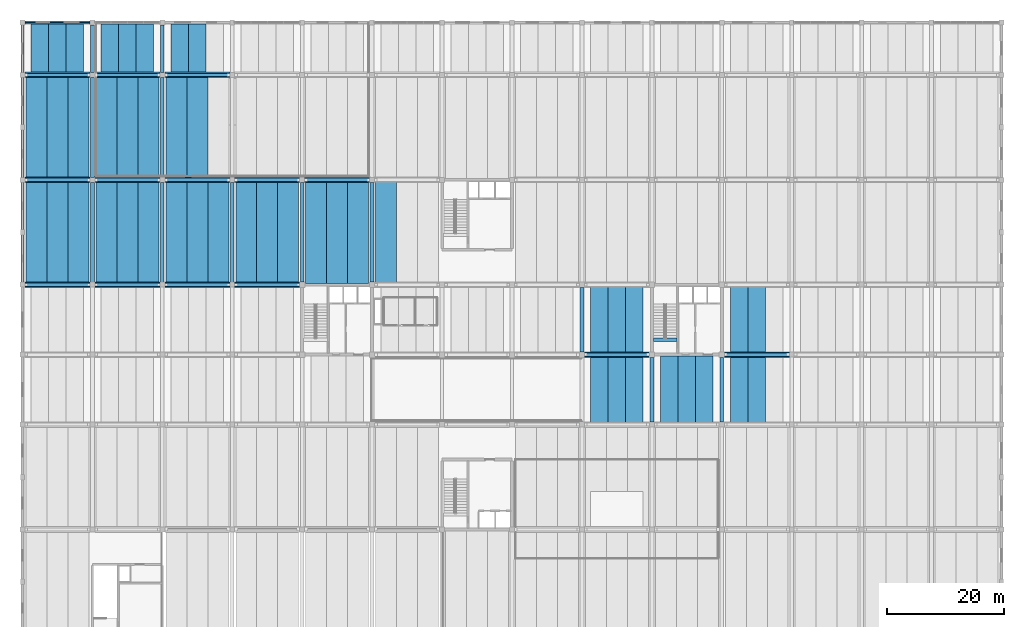
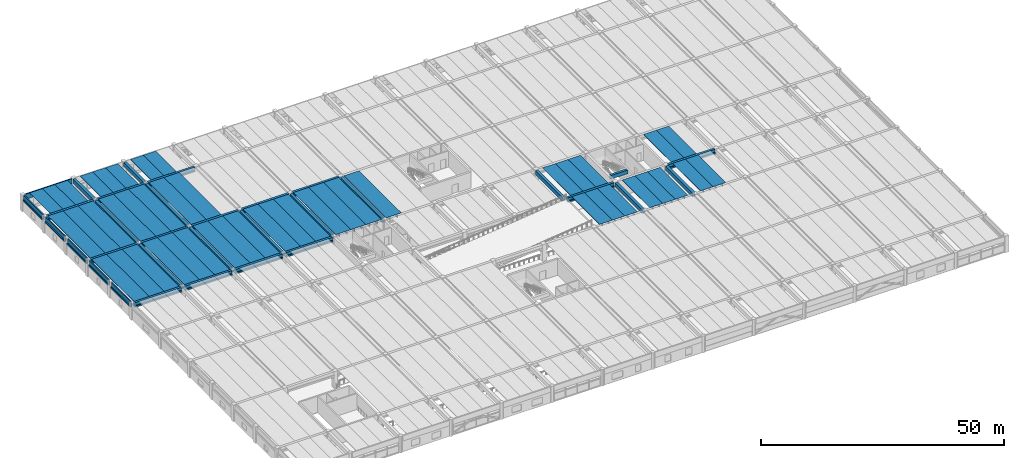
# One storey, part 13 of 50: 78 beams.
"""IFC4 building model written with IfcOpenShell, lengths in metres."""

from ifc_helpers import new_model, si_unit, direction, frame, origin, origin_2d, place, context, subcontext, project, spatial, polyline, rectangle, outline, extrude, material, material_profile, profile_set, type_object, element, save


model = new_model("IFC4")

# Units and contexts
model_context = context("Model", 3, precision=1e-05, world=origin(), true_north=direction((0.0, 1.0)))
body_context = subcontext(model_context, "Body", "Model", "MODEL_VIEW")
ifc_project = project(units=[si_unit("LENGTHUNIT", "METRE"), si_unit("AREAUNIT", "SQUARE_METRE"), si_unit("VOLUMEUNIT", "CUBIC_METRE"), si_unit("PLANEANGLEUNIT", "RADIAN"), si_unit("MASSUNIT", "GRAM", prefix="KILO")], contexts=[model_context])

# Site, building, storey
site_placement = place(None, origin())
site = spatial("IfcSite", under=ifc_project, at=site_placement, CompositionType="ELEMENT")
building_placement = place(site_placement, origin())
building = spatial("IfcBuilding", under=site, at=building_placement, Name="Girod Span Mobility Hub", CompositionType="ELEMENT")
storey_placement = place(building_placement, frame((0.0, 0.0, 5.39990234375)))
storey = spatial("IfcBuildingStorey", under=building, at=storey_placement, Name="L01", CompositionType="ELEMENT", Elevation=5.39990234375)

# Beams
ifc_material_1 = material(Name="Concrete C50/60", Category="concrete")
ifc_material_profile_1 = material_profile(ifc_material_1, outline(polyline([(-1.5, 0.35009765625), (-1.5, 0.2548828125), (-0.840087890625, 0.2548828125), (-0.81494140625, -0.35009765625), (-0.68505859375, -0.35009765625), (-0.659912109375, 0.2548828125), (0.659912109375, 0.2548828125), (0.68505859375, -0.35009765625), (0.81494140625, -0.35009765625), (0.840087890625, 0.2548828125), (1.5, 0.2548828125), (1.5, 0.35009765625), (-1.5, 0.35009765625)])), Name="DT-3000X700")
ifc_profile_set_1 = profile_set([ifc_material_profile_1], Name="Concrete C50/60")
beam_type_1 = type_object("IfcBeamType", Name="BM-DT-3000X700", PredefinedType="JOIST", material=ifc_profile_set_1)
for number, where, z_axis, x_axis, name in (
    (1, (3.0, 105.27197265625, 3.690185546875), (0.0, 1.0, 0.0), (-1.0, 0.0, 0.0), "Double-Tee Deck 1/H-1 L01"),
    (2, (6.0, 105.27197265625, 3.690185546875), (0.0, 1.0, 0.0), (-1.0, 0.0, 0.0), "Double-Tee Deck 1/H-2 L01"),
    (3, (9.0, 105.27197265625, 3.690185546875), (0.0, 1.0, 0.0), (-1.0, 0.0, 0.0), "Double-Tee Deck 1/H-3 L01"),
    (4, (15.0, 105.27197265625, 3.690185546875), (0.0, 1.0, 0.0), (-1.0, 0.0, 0.0), "Double-Tee Deck 2/H-1 L01"),
    (5, (18.0, 105.27197265625, 3.690185546875), (0.0, 1.0, 0.0), (-1.0, 0.0, 0.0), "Double-Tee Deck 2/H-2 L01"),
    (6, (21.0, 105.27197265625, 3.690185546875), (0.0, 1.0, 0.0), (-1.0, 0.0, 0.0), "Double-Tee Deck 2/H-3 L01"),
    (7, (27.0, 105.27197265625, 3.690185546875), (0.0, 1.0, 0.0), (-1.0, 0.0, 0.0), "Double-Tee Deck 3/H-1 L01"),
    (8, (30.0, 105.27197265625, 3.690185546875), (0.0, 1.0, 0.0), (-1.0, 0.0, 0.0), "Double-Tee Deck 3/H-2 L01"),
):
    element("IfcBeam", number, at=place(storey_placement, frame(where, z_axis=z_axis, x_axis=x_axis)), inside=storey, type_object=beam_type_1, Name=name, PredefinedType="JOIST", context=body_context, shape_type="SweptSolid", body=[
        extrude(outline(polyline([(-1.5, 0.35009765625), (-1.5, 0.2548828125), (-0.840087890625, 0.2548828125), (-0.81494140625, -0.35009765625), (-0.68505859375, -0.35009765625), (-0.659912109375, 0.2548828125), (0.659912109375, 0.2548828125), (0.68505859375, -0.35009765625), (0.81494140625, -0.35009765625), (0.840087890625, 0.2548828125), (1.5, 0.2548828125), (1.5, 0.35009765625), (-1.5, 0.35009765625)])), origin(), (0.0, 0.0, 1.0), 8.506103515625),
    ])
for number, where, z_axis, x_axis, name in (
    (9, (99.0, 45.27197265625, 3.690185546875), (0.0, 1.0, 0.0), (-1.0, 0.0, 0.0), "Double-Tee Deck 9/D-1 L01"),
    (10, (102.0, 45.27197265625, 3.690185546875), (0.0, 1.0, 0.0), (-1.0, 0.0, 0.0), "Double-Tee Deck 9/D-2 L01"),
    (11, (105.0, 45.27197265625, 3.690185546875), (0.0, 1.0, 0.0), (-1.0, 0.0, 0.0), "Double-Tee Deck 9/D-3 L01"),
    (12, (99.0, 57.27197265625, 3.690185546875), (0.0, 1.0, 0.0), (-1.0, 0.0, 0.0), "Double-Tee Deck 9/E-1 L01"),
    (13, (102.0, 57.27197265625, 3.690185546875), (0.0, 1.0, 0.0), (-1.0, 0.0, 0.0), "Double-Tee Deck 9/E-2 L01"),
    (14, (105.0, 57.27197265625, 3.690185546875), (0.0, 1.0, 0.0), (-1.0, 0.0, 0.0), "Double-Tee Deck 9/E-3 L01"),
):
    element("IfcBeam", number, at=place(storey_placement, frame(where, z_axis=z_axis, x_axis=x_axis)), inside=storey, type_object=beam_type_1, Name=name, PredefinedType="JOIST", context=body_context, shape_type="SweptSolid", body=[
        extrude(outline(polyline([(-1.5, 0.35009765625), (-1.5, 0.2548828125), (-0.840087890625, 0.2548828125), (-0.81494140625, -0.35009765625), (-0.68505859375, -0.35009765625), (-0.659912109375, 0.2548828125), (0.659912109375, 0.2548828125), (0.68505859375, -0.35009765625), (0.81494140625, -0.35009765625), (0.840087890625, 0.2548828125), (1.5, 0.2548828125), (1.5, 0.35009765625), (-1.5, 0.35009765625)])), origin(), (0.0, 0.0, 1.0), 11.4560546875),
    ])
for number, where, z_axis, x_axis, name in (
    (15, (111.0, 45.27197265625, 3.690185546875), (0.0, 1.0, 0.0), (-1.0, 0.0, 0.0), "Double-Tee Deck 10/D-1 L01"),
    (16, (114.0, 45.27197265625, 3.690185546875), (0.0, 1.0, 0.0), (-1.0, 0.0, 0.0), "Double-Tee Deck 10/D-2 L01"),
    (17, (117.0, 45.27197265625, 3.690185546875), (0.0, 1.0, 0.0), (-1.0, 0.0, 0.0), "Double-Tee Deck 10/D-3 L01"),
):
    element("IfcBeam", number, at=place(storey_placement, frame(where, z_axis=z_axis, x_axis=x_axis)), inside=storey, type_object=beam_type_1, Name=name, PredefinedType="JOIST", context=body_context, shape_type="SweptSolid", body=[
        extrude(outline(polyline([(-1.5, 0.35009765625), (-1.5, 0.2548828125), (-0.840087890625, 0.2548828125), (-0.81494140625, -0.35009765625), (-0.68505859375, -0.35009765625), (-0.659912109375, 0.2548828125), (0.659912109375, 0.2548828125), (0.68505859375, -0.35009765625), (0.81494140625, -0.35009765625), (0.840087890625, 0.2548828125), (1.5, 0.2548828125), (1.5, 0.35009765625), (-1.5, 0.35009765625)])), origin(), (0.0, 0.0, 1.0), 11.48095703125),
    ])
for number, where, z_axis, x_axis, name in (
    (18, (123.0, 45.27197265625, 3.690185546875), (0.0, 1.0, 0.0), (-1.0, 0.0, 0.0), "Double-Tee Deck 11/D-1 L01"),
    (19, (126.0, 45.27197265625, 3.690185546875), (0.0, 1.0, 0.0), (-1.0, 0.0, 0.0), "Double-Tee Deck 11/D-2 L01"),
    (20, (123.0, 57.27197265625, 3.690185546875), (0.0, 1.0, 0.0), (-1.0, 0.0, 0.0), "Double-Tee Deck 11/E-1 L01"),
    (21, (126.0, 57.27197265625, 3.690185546875), (0.0, 1.0, 0.0), (-1.0, 0.0, 0.0), "Double-Tee Deck 11/E-2 L01"),
):
    element("IfcBeam", number, at=place(storey_placement, frame(where, z_axis=z_axis, x_axis=x_axis)), inside=storey, type_object=beam_type_1, Name=name, PredefinedType="JOIST", context=body_context, shape_type="SweptSolid", body=[
        extrude(outline(polyline([(-1.5, 0.35009765625), (-1.5, 0.2548828125), (-0.840087890625, 0.2548828125), (-0.81494140625, -0.35009765625), (-0.68505859375, -0.35009765625), (-0.659912109375, 0.2548828125), (0.659912109375, 0.2548828125), (0.68505859375, -0.35009765625), (0.81494140625, -0.35009765625), (0.840087890625, 0.2548828125), (1.5, 0.2548828125), (1.5, 0.35009765625), (-1.5, 0.35009765625)])), origin(), (0.0, 0.0, 1.0), 11.4560546875),
    ])
ifc_material_2 = material(Name="Concrete C50/60", Category="concrete")
ifc_material_profile_2 = material_profile(ifc_material_2, outline(polyline([(-1.800048828125, 0.47509765625), (-1.800048828125, 0.364990234375), (-1.010009765625, 0.364990234375), (-0.97509765625, -0.47509765625), (-0.824951171875, -0.47509765625), (-0.7900390625, 0.364990234375), (0.7900390625, 0.364990234375), (0.824951171875, -0.47509765625), (0.97509765625, -0.47509765625), (1.010009765625, 0.364990234375), (1.800048828125, 0.364990234375), (1.800048828125, 0.47509765625), (-1.800048828125, 0.47509765625)])), Name="DT-3600X950")
ifc_profile_set_2 = profile_set([ifc_material_profile_2], Name="Concrete C50/60")
beam_type_2 = type_object("IfcBeamType", Name="BM-DT-3600X950", PredefinedType="JOIST", material=ifc_profile_set_2)
for number, where, z_axis, x_axis, name in (
    (22, (2.39990234375, 69.27197265625, 3.565185546875), (0.0, 1.0, 0.0), (-1.0, 0.0, 0.0), "Double-Tee Deck 1/F-1 L01"),
    (23, (6.0, 69.27197265625, 3.565185546875), (0.0, 1.0, 0.0), (-1.0, 0.0, 0.0), "Double-Tee Deck 1/F-2 L01"),
    (24, (9.60009765625, 69.27197265625, 3.565185546875), (0.0, 1.0, 0.0), (-1.0, 0.0, 0.0), "Double-Tee Deck 1/F-3 L01"),
    (25, (2.39990234375, 87.27197265625, 3.565185546875), (0.0, 1.0, 0.0), (-1.0, 0.0, 0.0), "Double-Tee Deck 1/G-1 L01"),
    (26, (6.0, 87.27197265625, 3.565185546875), (0.0, 1.0, 0.0), (-1.0, 0.0, 0.0), "Double-Tee Deck 1/G-2 L01"),
    (27, (9.60009765625, 87.27197265625, 3.565185546875), (0.0, 1.0, 0.0), (-1.0, 0.0, 0.0), "Double-Tee Deck 1/G-3 L01"),
    (28, (14.39990234375, 69.27197265625, 3.565185546875), (0.0, 1.0, 0.0), (-1.0, 0.0, 0.0), "Double-Tee Deck 2/F-1 L01"),
    (29, (18.0, 69.27197265625, 3.565185546875), (0.0, 1.0, 0.0), (-1.0, 0.0, 0.0), "Double-Tee Deck 2/F-2 L01"),
    (30, (21.60009765625, 69.27197265625, 3.565185546875), (0.0, 1.0, 0.0), (-1.0, 0.0, 0.0), "Double-Tee Deck 2/F-3 L01"),
    (31, (14.39990234375, 87.27197265625, 3.565185546875), (0.0, 1.0, 0.0), (-1.0, 0.0, 0.0), "Double-Tee Deck 2/G-1 L01"),
    (32, (18.0, 87.27197265625, 3.565185546875), (0.0, 1.0, 0.0), (-1.0, 0.0, 0.0), "Double-Tee Deck 2/G-2 L01"),
    (33, (21.60009765625, 87.27197265625, 3.565185546875), (0.0, 1.0, 0.0), (-1.0, 0.0, 0.0), "Double-Tee Deck 2/G-3 L01"),
    (34, (26.39990234375, 69.27197265625, 3.565185546875), (0.0, 1.0, 0.0), (-1.0, 0.0, 0.0), "Double-Tee Deck 3/F-1 L01"),
    (35, (30.0, 69.27197265625, 3.565185546875), (0.0, 1.0, 0.0), (-1.0, 0.0, 0.0), "Double-Tee Deck 3/F-2 L01"),
    (36, (33.60009765625, 69.27197265625, 3.565185546875), (0.0, 1.0, 0.0), (-1.0, 0.0, 0.0), "Double-Tee Deck 3/F-3 L01"),
    (37, (26.39990234375, 87.27197265625, 3.565185546875), (0.0, 1.0, 0.0), (-1.0, 0.0, 0.0), "Double-Tee Deck 3/G-1 L01"),
    (38, (30.0, 87.27197265625, 3.565185546875), (0.0, 1.0, 0.0), (-1.0, 0.0, 0.0), "Double-Tee Deck 3/G-2 L01"),
    (39, (38.39990234375, 69.27197265625, 3.565185546875), (0.0, 1.0, 0.0), (-1.0, 0.0, 0.0), "Double-Tee Deck 4/F-1 L01"),
    (40, (42.0, 69.27197265625, 3.565185546875), (0.0, 1.0, 0.0), (-1.0, 0.0, 0.0), "Double-Tee Deck 4/F-2 L01"),
    (41, (45.60009765625, 69.27197265625, 3.565185546875), (0.0, 1.0, 0.0), (-1.0, 0.0, 0.0), "Double-Tee Deck 4/F-3 L01"),
):
    element("IfcBeam", number, at=place(storey_placement, frame(where, z_axis=z_axis, x_axis=x_axis)), inside=storey, type_object=beam_type_2, Name=name, PredefinedType="JOIST", context=body_context, shape_type="SweptSolid", body=[
        extrude(outline(polyline([(-1.800048828125, 0.47509765625), (-1.800048828125, 0.364990234375), (-1.010009765625, 0.364990234375), (-0.97509765625, -0.47509765625), (-0.824951171875, -0.47509765625), (-0.7900390625, 0.364990234375), (0.7900390625, 0.364990234375), (0.824951171875, -0.47509765625), (0.97509765625, -0.47509765625), (1.010009765625, 0.364990234375), (1.800048828125, 0.364990234375), (1.800048828125, 0.47509765625), (-1.800048828125, 0.47509765625)])), origin(), (0.0, 0.0, 1.0), 17.4560546875),
    ])
for number, where, z_axis, x_axis, name in (
    (42, (50.39990234375, 69.2470703125, 3.565185546875), (0.0, 1.0, 0.0), (-1.0, 0.0, 0.0), "Double-Tee Deck 5/F-1 L01"),
    (43, (54.0, 69.2470703125, 3.565185546875), (0.0, 1.0, 0.0), (-1.0, 0.0, 0.0), "Double-Tee Deck 5/F-2 L01"),
    (44, (57.60009765625, 69.2470703125, 3.565185546875), (0.0, 1.0, 0.0), (-1.0, 0.0, 0.0), "Double-Tee Deck 5/F-3 L01"),
):
    element("IfcBeam", number, at=place(storey_placement, frame(where, z_axis=z_axis, x_axis=x_axis)), inside=storey, type_object=beam_type_2, Name=name, PredefinedType="JOIST", context=body_context, shape_type="SweptSolid", body=[
        extrude(outline(polyline([(-1.800048828125, 0.47509765625), (-1.800048828125, 0.364990234375), (-1.010009765625, 0.364990234375), (-0.97509765625, -0.47509765625), (-0.824951171875, -0.47509765625), (-0.7900390625, 0.364990234375), (0.7900390625, 0.364990234375), (0.824951171875, -0.47509765625), (0.97509765625, -0.47509765625), (1.010009765625, 0.364990234375), (1.800048828125, 0.364990234375), (1.800048828125, 0.47509765625), (-1.800048828125, 0.47509765625)])), origin(), (0.0, 0.0, 1.0), 17.48095703125),
    ])
beam_1_placement = place(storey_placement, frame((62.39990234375, 69.27197265625, 3.565185546875), z_axis=(0.0, 1.0, 0.0), x_axis=(-1.0, 0.0, 0.0)))
element("IfcBeam", 45, at=beam_1_placement, inside=storey, type_object=beam_type_2, Name="Double-Tee Deck 6/F-1 L01", PredefinedType="JOIST", context=body_context, shape_type="SweptSolid", body=[
    extrude(outline(polyline([(-1.800048828125, 0.47509765625), (-1.800048828125, 0.364990234375), (-1.010009765625, 0.364990234375), (-0.97509765625, -0.47509765625), (-0.824951171875, -0.47509765625), (-0.7900390625, 0.364990234375), (0.7900390625, 0.364990234375), (0.824951171875, -0.47509765625), (0.97509765625, -0.47509765625), (1.010009765625, 0.364990234375), (1.800048828125, 0.364990234375), (1.800048828125, 0.47509765625), (-1.800048828125, 0.47509765625)])), origin(), (0.0, 0.0, 1.0), 17.4560546875),
])
ifc_material_3 = material(Name="Concrete C50/60", Category="concrete")
ifc_material_profile_3 = material_profile(ifc_material_3, outline(polyline([(-0.47509765625, -0.52490234375), (0.47509765625, -0.52490234375), (0.47509765625, -0.175048828125), (0.27490234375, -0.175048828125), (0.27490234375, 0.52490234375), (-0.27490234375, 0.52490234375), (-0.27490234375, -0.175048828125), (-0.47509765625, -0.175048828125), (-0.47509765625, -0.52490234375)])), Name="IT-950X1050")
ifc_profile_set_3 = profile_set([ifc_material_profile_3], Name="Concrete C50/60")
beam_type_3 = type_object("IfcBeamType", Name="BM-IT-950X1050", PredefinedType="T_BEAM", material=ifc_profile_set_3)
beam_2_placement = place(storey_placement, frame((96.447021484375, 57.0, 3.51513671875), z_axis=(1.0, 0.0, 0.0), x_axis=(0.0, 1.0, 0.0)))
element("IfcBeam", 46, at=beam_2_placement, inside=storey, type_object=beam_type_3, Name="Girder 9-10/E L01", PredefinedType="T_BEAM", context=body_context, shape_type="SweptSolid", body=[
    extrude(outline(polyline([(-0.47509765625, -0.52490234375), (0.47509765625, -0.52490234375), (0.47509765625, -0.175048828125), (0.27490234375, -0.175048828125), (0.27490234375, 0.52490234375), (-0.27490234375, 0.52490234375), (-0.27490234375, -0.175048828125), (-0.47509765625, -0.175048828125), (-0.47509765625, -0.52490234375)])), origin(), (0.0, 0.0, 1.0), 11.10595703125),
])
beam_3_placement = place(storey_placement, frame((120.447021484375, 57.0, 3.51513671875), z_axis=(1.0, 0.0, 0.0), x_axis=(0.0, 1.0, 0.0)))
element("IfcBeam", 47, at=beam_3_placement, inside=storey, type_object=beam_type_3, Name="Girder 11-12/E L01", PredefinedType="T_BEAM", context=body_context, shape_type="SweptSolid", body=[
    extrude(outline(polyline([(-0.47509765625, -0.52490234375), (0.47509765625, -0.52490234375), (0.47509765625, -0.175048828125), (0.27490234375, -0.175048828125), (0.27490234375, 0.52490234375), (-0.27490234375, 0.52490234375), (-0.27490234375, -0.175048828125), (-0.47509765625, -0.175048828125), (-0.47509765625, -0.52490234375)])), origin(), (0.0, 0.0, 1.0), 11.130859375),
])
for number, where, z_axis, x_axis, name in (
    (48, (0.422119140625, 69.0, 3.51513671875), (1.0, 0.0, 0.0), (0.0, 1.0, 0.0), "Girder 1-2/F L01"),
    (49, (12.422119140625, 69.0, 3.51513671875), (1.0, 0.0, 0.0), (0.0, 1.0, 0.0), "Girder 2-3/F L01"),
    (50, (24.422119140625, 69.0, 3.51513671875), (1.0, 0.0, 0.0), (0.0, 1.0, 0.0), "Girder 3-4/F L01"),
):
    element("IfcBeam", number, at=place(storey_placement, frame(where, z_axis=z_axis, x_axis=x_axis)), inside=storey, type_object=beam_type_3, Name=name, PredefinedType="T_BEAM", context=body_context, shape_type="SweptSolid", body=[
        extrude(outline(polyline([(-0.47509765625, -0.52490234375), (0.47509765625, -0.52490234375), (0.47509765625, -0.175048828125), (0.27490234375, -0.175048828125), (0.27490234375, 0.52490234375), (-0.27490234375, 0.52490234375), (-0.27490234375, -0.175048828125), (-0.47509765625, -0.175048828125), (-0.47509765625, -0.52490234375)])), origin(), (0.0, 0.0, 1.0), 11.15576171875),
    ])
beam_4_placement = place(storey_placement, frame((36.422119140625, 69.0, 3.51513671875), z_axis=(1.0, 0.0, 0.0), x_axis=(0.0, 1.0, 0.0)))
element("IfcBeam", 51, at=beam_4_placement, inside=storey, type_object=beam_type_3, Name="Girder 4-5/F L01", PredefinedType="T_BEAM", context=body_context, shape_type="SweptSolid", body=[
    extrude(outline(polyline([(-0.47509765625, -0.52490234375), (0.47509765625, -0.52490234375), (0.47509765625, -0.175048828125), (0.27490234375, -0.175048828125), (0.27490234375, 0.52490234375), (-0.27490234375, 0.52490234375), (-0.27490234375, -0.175048828125), (-0.47509765625, -0.175048828125), (-0.47509765625, -0.52490234375)])), origin(), (0.0, 0.0, 1.0), 11.130859375),
])
for number, where, z_axis, x_axis, name in (
    (52, (0.422119140625, 87.0, 3.51513671875), (1.0, 0.0, 0.0), (0.0, 1.0, 0.0), "Girder 1-2/G L01"),
    (53, (12.422119140625, 87.0, 3.51513671875), (1.0, 0.0, 0.0), (0.0, 1.0, 0.0), "Girder 2-3/G L01"),
    (54, (24.422119140625, 87.0, 3.51513671875), (1.0, 0.0, 0.0), (0.0, 1.0, 0.0), "Girder 3-4/G L01"),
    (55, (36.422119140625, 87.0, 3.51513671875), (1.0, 0.0, 0.0), (0.0, 1.0, 0.0), "Girder 4-5/G L01"),
    (56, (48.422119140625, 87.0, 3.51513671875), (1.0, 0.0, 0.0), (0.0, 1.0, 0.0), "Girder 5-6/G L01"),
    (57, (0.422119140625, 105.0, 3.51513671875), (1.0, 0.0, 0.0), (0.0, 1.0, 0.0), "Girder 1-2/H L01"),
    (58, (12.422119140625, 105.0, 3.51513671875), (1.0, 0.0, 0.0), (0.0, 1.0, 0.0), "Girder 2-3/H L01"),
    (59, (24.422119140625, 105.0, 3.51513671875), (1.0, 0.0, 0.0), (0.0, 1.0, 0.0), "Girder 3-4/H L01"),
):
    element("IfcBeam", number, at=place(storey_placement, frame(where, z_axis=z_axis, x_axis=x_axis)), inside=storey, type_object=beam_type_3, Name=name, PredefinedType="T_BEAM", context=body_context, shape_type="SweptSolid", body=[
        extrude(outline(polyline([(-0.47509765625, -0.52490234375), (0.47509765625, -0.52490234375), (0.47509765625, -0.175048828125), (0.27490234375, -0.175048828125), (0.27490234375, 0.52490234375), (-0.27490234375, 0.52490234375), (-0.27490234375, -0.175048828125), (-0.47509765625, -0.175048828125), (-0.47509765625, -0.52490234375)])), origin(), (0.0, 0.0, 1.0), 11.15576171875),
    ])
ifc_material_4 = material(Name="Concrete C40/50", Category="concrete")
ifc_material_profile_4 = material_profile(ifc_material_4, rectangle(XDim=0.550048828125, YDim=0.949951171875, at=origin_2d()), Name="RK-550X950")
ifc_profile_set_4 = profile_set([ifc_material_profile_4], Name="Concrete C40/50")
beam_type_4 = type_object("IfcBeamType", Name="BM-RK-550X950", PredefinedType="BEAM", material=ifc_profile_set_4)
beam_5_placement = place(storey_placement, frame((108.2470703125, 59.550048828125, 3.565185546875), z_axis=(1.0, 0.0, 0.0), x_axis=(0.0, 1.0, 0.0)))
element("IfcBeam", 60, at=beam_5_placement, inside=storey, type_object=beam_type_4, Name="Stair ST-2 Landing Header Beam L01", PredefinedType="BEAM", context=body_context, shape_type="SweptSolid", body=[
    extrude(rectangle(XDim=0.550048828125, YDim=0.949951171875, at=origin_2d()), origin(), (0.0, 0.0, 1.0), 4.055908203125),
])
ifc_material_5 = material(Name="Concrete C40/50", Category="concrete")
ifc_material_profile_5 = material_profile(ifc_material_5, outline(polyline([(-0.22509765625, -0.675048828125), (0.22509765625, -0.675048828125), (0.22509765625, -0.324951171875), (0.02490234375, -0.324951171875), (0.02490234375, 0.675048828125), (-0.22509765625, 0.675048828125), (-0.22509765625, -0.675048828125)])), Name="SP-450X1350")
ifc_profile_set_5 = profile_set([ifc_material_profile_5], Name="Concrete C40/50")
beam_type_5 = type_object("IfcBeamType", Name="BM-SP-450X1350", PredefinedType="SPANDREL", material=ifc_profile_set_5)
beam_6_placement = place(storey_placement, frame((0.422119140625, 114.0, 3.364990234375), z_axis=(1.0, 0.0, 0.0), x_axis=(0.0, 1.0, 0.0)))
element("IfcBeam", 61, at=beam_6_placement, inside=storey, type_object=beam_type_5, Name="Girder 1-2/J L01", PredefinedType="SPANDREL", context=body_context, shape_type="SweptSolid", body=[
    extrude(outline(polyline([(-0.22509765625, -0.675048828125), (0.22509765625, -0.675048828125), (0.22509765625, -0.324951171875), (0.02490234375, -0.324951171875), (0.02490234375, 0.675048828125), (-0.22509765625, 0.675048828125), (-0.22509765625, -0.675048828125)])), origin(), (0.0, 0.0, 1.0), 11.15576171875),
])
for number, where, z_axis, x_axis, name in (
    (62, (0.0, 69.422119140625, 3.364990234375), (0.0, 1.0, 0.0), (-1.0, 0.0, 0.0), "Perimeter Spandrel 1/F-S L01"),
    (63, (0.0, 78.471923828125, 3.364990234375), (0.0, 1.0, 0.0), (-1.0, 0.0, 0.0), "Perimeter Spandrel 1/F-N L01"),
    (64, (0.0, 87.422119140625, 3.364990234375), (0.0, 1.0, 0.0), (-1.0, 0.0, 0.0), "Perimeter Spandrel 1/G-S L01"),
    (65, (0.0, 96.471923828125, 3.364990234375), (0.0, 1.0, 0.0), (-1.0, 0.0, 0.0), "Perimeter Spandrel 1/G-N L01"),
):
    element("IfcBeam", number, at=place(storey_placement, frame(where, z_axis=z_axis, x_axis=x_axis)), inside=storey, type_object=beam_type_5, Name=name, PredefinedType="SPANDREL", context=body_context, shape_type="SweptSolid", body=[
        extrude(outline(polyline([(-0.22509765625, -0.675048828125), (0.22509765625, -0.675048828125), (0.22509765625, -0.324951171875), (0.02490234375, -0.324951171875), (0.02490234375, 0.675048828125), (-0.22509765625, 0.675048828125), (-0.22509765625, -0.675048828125)])), origin(), (0.0, 0.0, 1.0), 8.10595703125),
    ])
beam_7_placement = place(storey_placement, frame((0.0, 105.422119140625, 3.364990234375), z_axis=(0.0, 1.0, 0.0), x_axis=(-1.0, 0.0, 0.0)))
element("IfcBeam", 66, at=beam_7_placement, inside=storey, type_object=beam_type_5, Name="Tie Girder 1/H-J L01", PredefinedType="SPANDREL", context=body_context, shape_type="SweptSolid", body=[
    extrude(outline(polyline([(-0.22509765625, -0.675048828125), (0.22509765625, -0.675048828125), (0.22509765625, -0.324951171875), (0.02490234375, -0.324951171875), (0.02490234375, 0.675048828125), (-0.22509765625, 0.675048828125), (-0.22509765625, -0.675048828125)])), origin(), (0.0, 0.0, 1.0), 8.15576171875),
])
ifc_material_6 = material(Name="Concrete C40/50", Category="concrete")
ifc_material_profile_6 = material_profile(ifc_material_6, rectangle(XDim=0.64990234375, YDim=1.0, at=origin_2d()), Name="TG-650X1000")
ifc_profile_set_6 = profile_set([ifc_material_profile_6], Name="Concrete C40/50")
beam_type_6 = type_object("IfcBeamType", Name="BM-TG-650X1000", PredefinedType="T_BEAM", material=ifc_profile_set_6)
for number, where, z_axis, x_axis, name in (
    (67, (12.0, 69.422119140625, 3.5400390625), (0.0, 1.0, 0.0), (-1.0, 0.0, 0.0), "Tie Girder 2/F-G L01"),
    (68, (12.0, 87.422119140625, 3.5400390625), (0.0, 1.0, 0.0), (-1.0, 0.0, 0.0), "Tie Girder 2/G-H L01"),
):
    element("IfcBeam", number, at=place(storey_placement, frame(where, z_axis=z_axis, x_axis=x_axis)), inside=storey, type_object=beam_type_6, Name=name, PredefinedType="T_BEAM", context=body_context, shape_type="SweptSolid", body=[
        extrude(rectangle(XDim=0.64990234375, YDim=1.0, at=origin_2d()), origin(), (0.0, 0.0, 1.0), 17.15576171875),
    ])
beam_8_placement = place(storey_placement, frame((12.0, 105.422119140625, 3.5400390625), z_axis=(0.0, 1.0, 0.0), x_axis=(-1.0, 0.0, 0.0)))
element("IfcBeam", 69, at=beam_8_placement, inside=storey, type_object=beam_type_6, Name="Tie Girder 2/H-J L01", PredefinedType="T_BEAM", context=body_context, shape_type="SweptSolid", body=[
    extrude(rectangle(XDim=0.64990234375, YDim=1.0, at=origin_2d()), origin(), (0.0, 0.0, 1.0), 8.15576171875),
])
for number, where, z_axis, x_axis, name in (
    (70, (24.0, 69.422119140625, 3.5400390625), (0.0, 1.0, 0.0), (-1.0, 0.0, 0.0), "Tie Girder 3/F-G L01"),
    (71, (24.0, 87.422119140625, 3.5400390625), (0.0, 1.0, 0.0), (-1.0, 0.0, 0.0), "Tie Girder 3/G-H L01"),
):
    element("IfcBeam", number, at=place(storey_placement, frame(where, z_axis=z_axis, x_axis=x_axis)), inside=storey, type_object=beam_type_6, Name=name, PredefinedType="T_BEAM", context=body_context, shape_type="SweptSolid", body=[
        extrude(rectangle(XDim=0.64990234375, YDim=1.0, at=origin_2d()), origin(), (0.0, 0.0, 1.0), 17.15576171875),
    ])
beam_9_placement = place(storey_placement, frame((24.0, 105.422119140625, 3.5400390625), z_axis=(0.0, 1.0, 0.0), x_axis=(-1.0, 0.0, 0.0)))
element("IfcBeam", 72, at=beam_9_placement, inside=storey, type_object=beam_type_6, Name="Tie Girder 3/H-J L01", PredefinedType="T_BEAM", context=body_context, shape_type="SweptSolid", body=[
    extrude(rectangle(XDim=0.64990234375, YDim=1.0, at=origin_2d()), origin(), (0.0, 0.0, 1.0), 8.15576171875),
])
beam_10_placement = place(storey_placement, frame((36.0, 69.422119140625, 3.5400390625), z_axis=(0.0, 1.0, 0.0), x_axis=(-1.0, 0.0, 0.0)))
element("IfcBeam", 73, at=beam_10_placement, inside=storey, type_object=beam_type_6, Name="Tie Girder 4/F-G L01", PredefinedType="T_BEAM", context=body_context, shape_type="SweptSolid", body=[
    extrude(rectangle(XDim=0.64990234375, YDim=1.0, at=origin_2d()), origin(), (0.0, 0.0, 1.0), 17.15576171875),
])
for number, where, z_axis, x_axis, name in (
    (74, (48.0, 69.447021484375, 3.5400390625), (0.0, 1.0, 0.0), (-1.0, 0.0, 0.0), "Tie Girder 5/F-G L01"),
    (75, (60.0, 69.447021484375, 3.5400390625), (0.0, 1.0, 0.0), (-1.0, 0.0, 0.0), "Tie Girder 6/F-G L01"),
):
    element("IfcBeam", number, at=place(storey_placement, frame(where, z_axis=z_axis, x_axis=x_axis)), inside=storey, type_object=beam_type_6, Name=name, PredefinedType="T_BEAM", context=body_context, shape_type="SweptSolid", body=[
        extrude(rectangle(XDim=0.64990234375, YDim=1.0, at=origin_2d()), origin(), (0.0, 0.0, 1.0), 17.130859375),
    ])
for number, where, z_axis, x_axis, name in (
    (76, (96.0, 57.447021484375, 3.5400390625), (0.0, 1.0, 0.0), (-1.0, 0.0, 0.0), "Tie Girder 9/E-F L01"),
    (77, (108.0, 45.447021484375, 3.5400390625), (0.0, 1.0, 0.0), (-1.0, 0.0, 0.0), "Tie Girder 10/D-E L01"),
    (78, (120.0, 45.447021484375, 3.5400390625), (0.0, 1.0, 0.0), (-1.0, 0.0, 0.0), "Tie Girder 11/D-E L01"),
):
    element("IfcBeam", number, at=place(storey_placement, frame(where, z_axis=z_axis, x_axis=x_axis)), inside=storey, type_object=beam_type_6, Name=name, PredefinedType="T_BEAM", context=body_context, shape_type="SweptSolid", body=[
        extrude(rectangle(XDim=0.64990234375, YDim=1.0, at=origin_2d()), origin(), (0.0, 0.0, 1.0), 11.10595703125),
    ])

save(model, "model.ifc")
